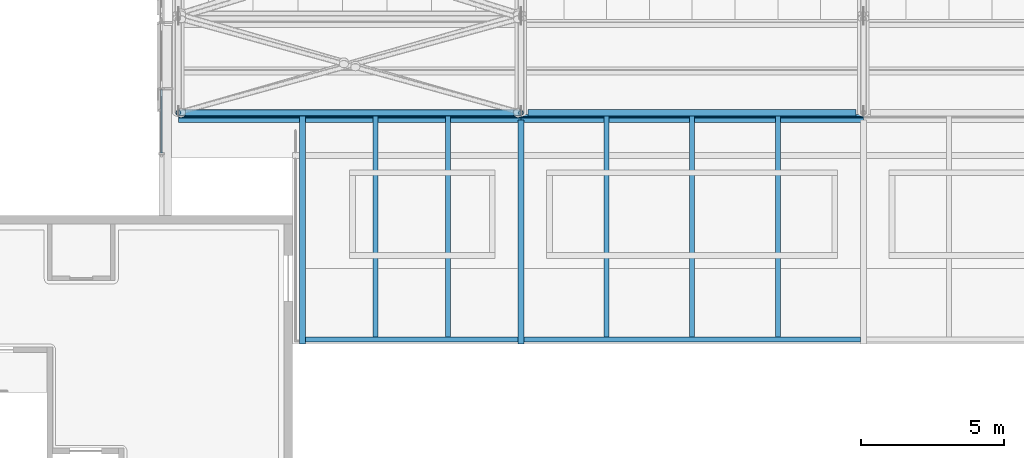
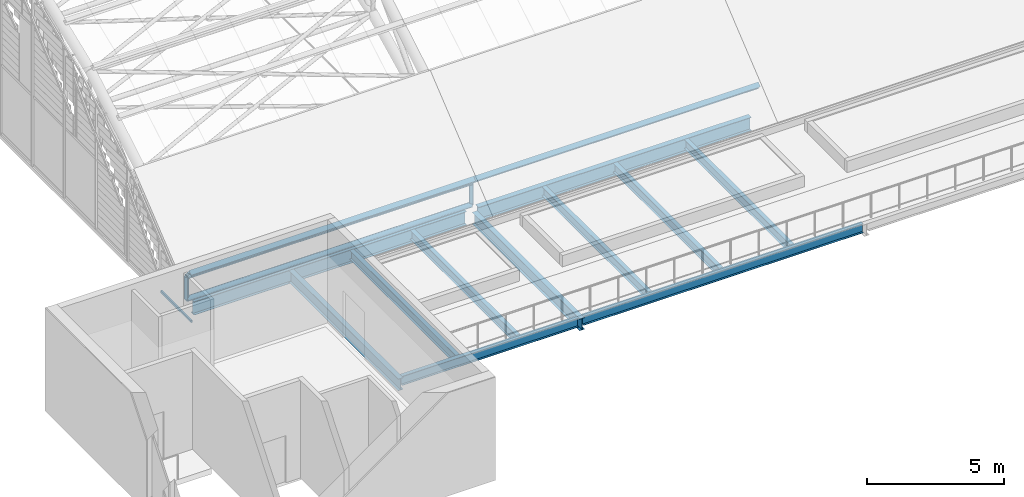
# One storey, part 1 of 110: 11 beams, 7 members, 1 element without a shape of its own.
"""IFC4 building model written with IfcOpenShell, lengths in metres."""

from ifc_helpers import new_model, si_unit, direction, frame, origin, origin_2d, place, context, subcontext, project, spatial, rectangle, hollow_circle, i_section, extrude, material, layer, layer_set, material_profile, profile_set, type_object, element, aggregate, save


model = new_model("IFC4")

# Units and contexts
model_context = context("Model", 3, precision=1e-05, world=origin(), true_north=direction((0.0, 1.0)))
body_context = subcontext(model_context, "Body", "Model", "MODEL_VIEW")
ifc_project = project(units=[si_unit("LENGTHUNIT", "METRE"), si_unit("AREAUNIT", "SQUARE_METRE"), si_unit("VOLUMEUNIT", "CUBIC_METRE"), si_unit("PLANEANGLEUNIT", "RADIAN"), si_unit("MASSUNIT", "GRAM", prefix="KILO")], contexts=[model_context])

# Site, building, storey
site_placement = place(None, origin())
site = spatial("IfcSite", under=ifc_project, at=site_placement, CompositionType="ELEMENT")
building_placement = place(site_placement, origin())
building = spatial("IfcBuilding", under=site, at=building_placement, Name="Windward Yard Aquatics Centre", CompositionType="ELEMENT")
storey_placement = place(building_placement, frame((0.0, 0.0, 22.60009765625)))
storey = spatial("IfcBuildingStorey", under=building, at=storey_placement, Name="L05", CompositionType="ELEMENT", Elevation=22.60009765625)

# Curtain wall, member
ifc_material_1 = material(Name="Glass and aluminium curtain wall", Category="aluminium")
ifc_layer = layer(ifc_material_1, 0.179931640625)
ifc_layer_set = layer_set([ifc_layer], Name="H gable glazing system double glazed 8+16+8")
curtain_wall_type = type_object("IfcCurtainWallType", Name="H gable glazing system double glazed 8+16+8", PredefinedType="NOTDEFINED", material=ifc_layer_set)
curtain_wall_placement = place(storey_placement, origin())
curtain_wall = element("IfcCurtainWall", 1, at=curtain_wall_placement, inside=storey, type_object=curtain_wall_type, Name="Gable glazing W", PredefinedType="NOTDEFINED")
ifc_material_2 = material(Name="Aluminium 6063-T6 anodised", Category="aluminium")
ifc_material_profile_1 = material_profile(ifc_material_2, rectangle(XDim=0.06494140625, YDim=0.10009765625, at=origin_2d()), Name="H CW transom 65x100")
ifc_profile_set_1 = profile_set([ifc_material_profile_1], Name="Aluminium 6063-T6 anodised")
member_type_1 = type_object("IfcMemberType", Name="H CW transom 65x100", PredefinedType="USERDEFINED", material=ifc_profile_set_1)
member_placement = place(storey_placement, frame((59.409912109375, 40.19189453125, 0.0498046875), z_axis=(0.0, 1.0, 0.0), x_axis=(-1.0, 0.0, 0.0)))
member = element("IfcMember", 2, at=member_placement, type_object=member_type_1, Name="Gable transom 1.1", ObjectType="TRANSOM", PredefinedType="USERDEFINED", context=body_context, shape_type="SweptSolid", body=[
    extrude(rectangle(XDim=0.06494140625, YDim=0.10009765625, at=origin_2d()), origin(), (0.0, 0.0, 1.0), 2.2216796875),
])
aggregate(curtain_wall, [member])

# Members
ifc_material_3 = material(Name="Steel ASTM A500 Gr C", Category="steel")
ifc_material_profile_2 = material_profile(ifc_material_3, hollow_circle(Radius=0.084228515625, WallThickness=0.010986328125, at=origin_2d()), Name="HSS168.3X11")
ifc_profile_set_2 = profile_set([ifc_material_profile_2], Name="Steel ASTM A500 Gr C")
member_type_2 = type_object("IfcMemberType", Name="H arch post HSS168.3X11", PredefinedType="POST", material=ifc_profile_set_2)
for number, where, z_axis, x_axis, name in (
    (3, (60.0, 41.60009765625, 0.0), (0.0, 0.0, 1.0), (1.0, 0.0, 0.0), "H.AT.1.WP01"),
    (4, (72.0, 41.60009765625, 0.0), (0.0, 0.0, 1.0), (1.0, 0.0, 0.0), "H.AT.2.WP01"),
):
    element("IfcMember", number, at=place(storey_placement, frame(where, z_axis=z_axis, x_axis=x_axis)), inside=storey, type_object=member_type_2, Name=name, PredefinedType="POST", context=body_context, shape_type="SweptSolid", body=[
        extrude(hollow_circle(Radius=0.084228515625, WallThickness=0.010986328125, at=origin_2d()), origin(), (0.0, 0.0, 1.0), 1.0),
    ])

# Beams
ifc_material_4 = material(Name="Steel ASTM A992 Gr 50", Category="steel")
ifc_material_profile_3 = material_profile(ifc_material_4, i_section(OverallWidth=0.22802734375, OverallDepth=0.60205078125, WebThickness=0.010498046875, FlangeThickness=0.014892578125, at=origin_2d()), Name="W610X101")
ifc_profile_set_3 = profile_set([ifc_material_profile_3], Name="Steel ASTM A992 Gr 50")
beam_type_1 = type_object("IfcBeamType", Name="H eave girder W610X101", PredefinedType="BEAM", material=ifc_profile_set_3)
for number, where, z_axis, x_axis, name in (
    (5, (60.25390625, 41.60009765625, -0.451171875), (1.0, 0.0, 0.0), (0.0, 1.0, 0.0), "H.EG.S1"),
    (6, (72.25390625, 41.60009765625, -0.451171875), (1.0, 0.0, 0.0), (0.0, 1.0, 0.0), "H.EG.S2"),
):
    element("IfcBeam", number, at=place(storey_placement, frame(where, z_axis=z_axis, x_axis=x_axis)), inside=storey, type_object=beam_type_1, Name=name, PredefinedType="BEAM", context=body_context, shape_type="SweptSolid", body=[
        extrude(i_section(OverallWidth=0.22802734375, OverallDepth=0.60205078125, WebThickness=0.010498046875, FlangeThickness=0.014892578125, at=origin_2d()), origin(), (0.0, 0.0, 1.0), 11.4921875),
    ])

# Members
ifc_material_profile_4 = material_profile(ifc_material_4, i_section(OverallWidth=0.202880859375, OverallDepth=0.202880859375, WebThickness=0.00732421875, FlangeThickness=0.010986328125, at=origin_2d()), Name="W200X46.1")
ifc_profile_set_4 = profile_set([ifc_material_profile_4], Name="Steel ASTM A992 Gr 50")
member_type_3 = type_object("IfcMemberType", Name="H roof purlin W200X46.1", PredefinedType="PURLIN", material=ifc_profile_set_4)
for number, where, z_axis, x_axis, name in (
    (7, (60.0, 41.406494140625, 1.2353515625), (1.0, 0.0, 0.0), (0.0, 0.772610863417, 0.634879873464), "H.PU.1.01"),
    (8, (72.0, 41.406494140625, 1.2353515625), (1.0, 0.0, 0.0), (0.0, 0.772610863417, 0.634879873464), "H.PU.2.01"),
):
    element("IfcMember", number, at=place(storey_placement, frame(where, z_axis=z_axis, x_axis=x_axis)), inside=storey, type_object=member_type_3, Name=name, PredefinedType="PURLIN", context=body_context, shape_type="SweptSolid", body=[
        extrude(i_section(OverallWidth=0.202880859375, OverallDepth=0.202880859375, WebThickness=0.00732421875, FlangeThickness=0.010986328125, at=origin_2d()), origin(), (0.0, 0.0, 1.0), 12.0),
    ])
ifc_material_profile_5 = material_profile(ifc_material_3, hollow_circle(Radius=0.109619140625, WallThickness=0.00830078125, at=origin_2d()), Name="HSS219.1X8.2")
ifc_profile_set_5 = profile_set([ifc_material_profile_5], Name="Steel ASTM A500 Gr C")
member_type_4 = type_object("IfcMemberType", Name="H roof strut HSS219.1X8.2", PredefinedType="STRUT", material=ifc_profile_set_5)
for number, where, z_axis, x_axis, name in (
    (9, (60.0, 41.60009765625, 1.0), (1.0, 0.0, 0.0), (0.0, 1.0, 0.0), "H.RS.1.T01"),
    (10, (60.0, 41.60009765625, 0.0), (1.0, 0.0, 0.0), (0.0, 1.0, 0.0), "H.RS.1.B01"),
):
    element("IfcMember", number, at=place(storey_placement, frame(where, z_axis=z_axis, x_axis=x_axis)), inside=storey, type_object=member_type_4, Name=name, PredefinedType="STRUT", context=body_context, shape_type="SweptSolid", body=[
        extrude(hollow_circle(Radius=0.109619140625, WallThickness=0.00830078125, at=origin_2d()), origin(), (0.0, 0.0, 1.0), 12.0),
    ])

# Beams
ifc_material_profile_6 = material_profile(ifc_material_4, i_section(OverallWidth=0.208984375, OverallDepth=0.528076171875, WebThickness=0.009521484375, FlangeThickness=0.01318359375, at=origin_2d()), Name="W530X82")
ifc_profile_set_6 = profile_set([ifc_material_profile_6], Name="Steel ASTM A992 Gr 50")
beam_type_2 = type_object("IfcBeamType", Name="H terrace primary beam W530X82", PredefinedType="BEAM", material=ifc_profile_set_6)
beam_1_placement = place(storey_placement, frame((64.35009765625, 33.5, -0.4140625), z_axis=(0.0, 1.0, 0.0), x_axis=(-1.0, 0.0, 0.0)))
element("IfcBeam", 11, at=beam_1_placement, inside=storey, type_object=beam_type_2, Name="H.T2B.S1", PredefinedType="BEAM", context=body_context, shape_type="SweptSolid", body=[
    extrude(i_section(OverallWidth=0.208984375, OverallDepth=0.528076171875, WebThickness=0.009521484375, FlangeThickness=0.01318359375, at=origin_2d()), origin(), (0.0, 0.0, 1.0), 7.986083984375),
])
beam_2_placement = place(storey_placement, frame((72.0, 33.5, -0.4140625), z_axis=(0.0, 1.0, 0.0), x_axis=(-1.0, 0.0, 0.0)))
element("IfcBeam", 12, at=beam_2_placement, inside=storey, type_object=beam_type_2, Name="H.T2B.S2", PredefinedType="BEAM", context=body_context, shape_type="SweptSolid", body=[
    extrude(i_section(OverallWidth=0.208984375, OverallDepth=0.528076171875, WebThickness=0.009521484375, FlangeThickness=0.01318359375, at=origin_2d()), origin(), (0.0, 0.0, 1.0), 7.845947265625),
])
ifc_material_profile_7 = material_profile(ifc_material_4, i_section(OverallWidth=0.177978515625, OverallDepth=0.406005859375, WebThickness=0.0078125, FlangeThickness=0.0126953125, at=origin_2d()), Name="W410X60")
ifc_profile_set_7 = profile_set([ifc_material_profile_7], Name="Steel ASTM A992 Gr 50")
beam_type_3 = type_object("IfcBeamType", Name="H terrace secondary beam W410X60", PredefinedType="BEAM", material=ifc_profile_set_7)
beam_3_placement = place(storey_placement, frame((64.45458984375, 33.65771484375, -0.35302734375), z_axis=(1.0, 0.0, 0.0), x_axis=(0.0, 1.0, 0.0)))
element("IfcBeam", 13, at=beam_3_placement, inside=storey, type_object=beam_type_3, Name="H.T2E.S1", PredefinedType="BEAM", context=body_context, shape_type="SweptSolid", body=[
    extrude(i_section(OverallWidth=0.177978515625, OverallDepth=0.406005859375, WebThickness=0.0078125, FlangeThickness=0.0126953125, at=origin_2d()), origin(), (0.0, 0.0, 1.0), 7.44091796875),
])
for number, where, z_axis, x_axis, name in (
    (14, (66.89990234375, 33.74658203125, -0.35302734375), (0.0, 1.0, 0.0), (-1.0, 0.0, 0.0), "H.T2S.S1.1"),
    (15, (69.449951171875, 33.74658203125, -0.35302734375), (0.0, 1.0, 0.0), (-1.0, 0.0, 0.0), "H.T2S.S1.2"),
):
    element("IfcBeam", number, at=place(storey_placement, frame(where, z_axis=z_axis, x_axis=x_axis)), inside=storey, type_object=beam_type_3, Name=name, PredefinedType="BEAM", context=body_context, shape_type="SweptSolid", body=[
        extrude(i_section(OverallWidth=0.177978515625, OverallDepth=0.406005859375, WebThickness=0.0078125, FlangeThickness=0.0126953125, at=origin_2d()), origin(), (0.0, 0.0, 1.0), 7.739501953125),
    ])
beam_4_placement = place(storey_placement, frame((72.1044921875, 33.65771484375, -0.35302734375), z_axis=(1.0, 0.0, 0.0), x_axis=(0.0, 1.0, 0.0)))
element("IfcBeam", 16, at=beam_4_placement, inside=storey, type_object=beam_type_3, Name="H.T2E.S2", PredefinedType="BEAM", context=body_context, shape_type="SweptSolid", body=[
    extrude(i_section(OverallWidth=0.177978515625, OverallDepth=0.406005859375, WebThickness=0.0078125, FlangeThickness=0.0126953125, at=origin_2d()), origin(), (0.0, 0.0, 1.0), 11.791015625),
])
for number, where, z_axis, x_axis, name in (
    (17, (75.0, 33.74658203125, -0.35302734375), (0.0, 1.0, 0.0), (-1.0, 0.0, 0.0), "H.T2S.S2.1"),
    (18, (78.0, 33.74658203125, -0.35302734375), (0.0, 1.0, 0.0), (-1.0, 0.0, 0.0), "H.T2S.S2.2"),
    (19, (81.0, 33.74658203125, -0.35302734375), (0.0, 1.0, 0.0), (-1.0, 0.0, 0.0), "H.T2S.S2.3"),
):
    element("IfcBeam", number, at=place(storey_placement, frame(where, z_axis=z_axis, x_axis=x_axis)), inside=storey, type_object=beam_type_3, Name=name, PredefinedType="BEAM", context=body_context, shape_type="SweptSolid", body=[
        extrude(i_section(OverallWidth=0.177978515625, OverallDepth=0.406005859375, WebThickness=0.0078125, FlangeThickness=0.0126953125, at=origin_2d()), origin(), (0.0, 0.0, 1.0), 7.739501953125),
    ])

save(model, "model.ifc")
